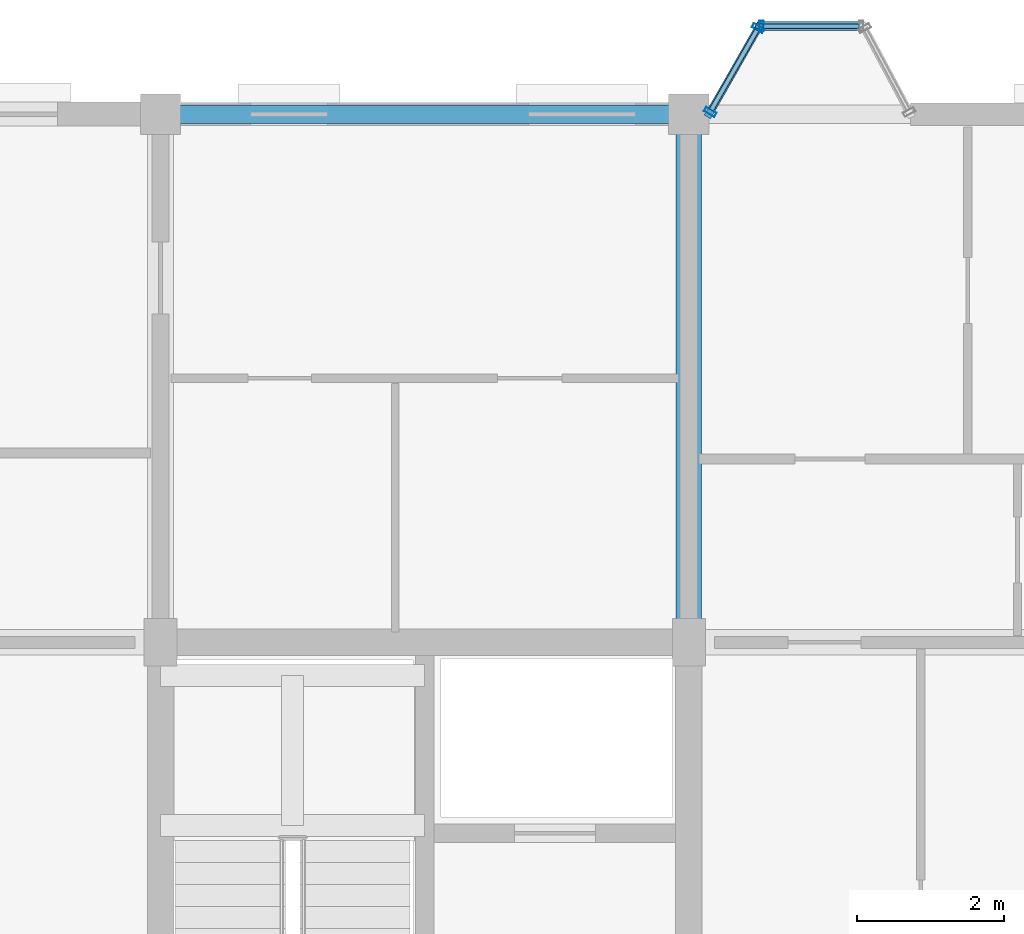
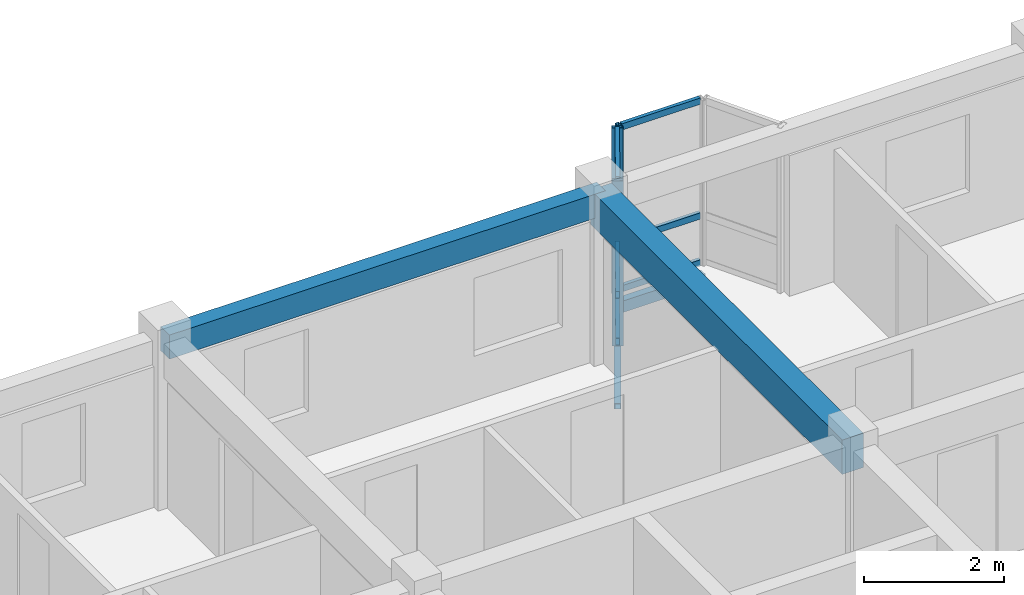
# One storey, part 38 of 75: 11 members, 2 beams, 2 elements without a shape of their own.
"""IFC4 building model written with IfcOpenShell, lengths in metres."""

from ifc_helpers import new_model, si_unit, direction, frame, origin, origin_2d, place, context, subcontext, project, spatial, rectangle, hollow_rectangle, extrude, material, layer, layer_set, material_profile, profile_set, type_object, element, aggregate, save


model = new_model("IFC4")

# Units and contexts
model_context = context("Model", 3, precision=1e-05, world=origin(), true_north=direction((0.0, 1.0)))
body_context = subcontext(model_context, "Body", "Model", "MODEL_VIEW")
ifc_project = project(units=[si_unit("LENGTHUNIT", "METRE"), si_unit("AREAUNIT", "SQUARE_METRE"), si_unit("VOLUMEUNIT", "CUBIC_METRE"), si_unit("PLANEANGLEUNIT", "RADIAN"), si_unit("MASSUNIT", "GRAM", prefix="KILO"), si_unit("THERMODYNAMICTEMPERATUREUNIT", "KELVIN"), si_unit("POWERUNIT", "WATT")], contexts=[model_context])

# Site, building, storey
site_placement = place(None, origin())
site = spatial("IfcSite", under=ifc_project, at=site_placement, CompositionType="ELEMENT")
building_placement = place(site_placement, origin())
building = spatial("IfcBuilding", under=site, at=building_placement, Name="Tavuni Mirador Residences", CompositionType="ELEMENT")
storey_placement = place(building_placement, frame((0.0, 0.0, 20.25)))
storey = spatial("IfcBuildingStorey", under=building, at=storey_placement, Name="L06", CompositionType="ELEMENT", Elevation=20.25)

# Beams
ifc_material_1 = material(Name="Precast concrete C40/50", Category="concrete")
ifc_material_profile_1 = material_profile(ifc_material_1, rectangle(XDim=0.35009765625, YDim=0.60009765625, at=origin_2d()), Name="PC 350x600", Category="concrete")
ifc_profile_set_1 = profile_set([ifc_material_profile_1], Name="Precast concrete C40/50")
beam_type_1 = type_object("IfcBeamType", Name="BT-B600", PredefinedType="BEAM", material=ifc_profile_set_1)
beam_1_placement = place(storey_placement, frame((32.39990234375, 165.60009765625, 2.5849609375), z_axis=(0.0, 1.0, 0.0), x_axis=(-1.0, 0.0, 0.0)))
element("IfcBeam", 1, at=beam_1_placement, inside=storey, type_object=beam_type_1, Name="BMY-BLK-C-L06-03-03", PredefinedType="BEAM", context=body_context, shape_type="SweptSolid", body=[
    extrude(rectangle(XDim=0.35009765625, YDim=0.60009765625, at=origin_2d()), origin(), (0.0, 0.0, 1.0), 7.199951171875),
])
ifc_material_profile_2 = material_profile(ifc_material_1, rectangle(XDim=0.25, YDim=0.419921875, at=origin_2d()), Name="PC 250x420", Category="concrete")
ifc_profile_set_2 = profile_set([ifc_material_profile_2], Name="Precast concrete C40/50")
beam_type_2 = type_object("IfcBeamType", Name="BT-SP420", PredefinedType="SPANDREL", material=ifc_profile_set_2)
beam_2_placement = place(storey_placement, frame((25.199951171875, 172.800048828125, 2.675048828125), z_axis=(1.0, 0.0, 0.0), x_axis=(0.0, 1.0, 0.0)))
element("IfcBeam", 2, at=beam_2_placement, inside=storey, type_object=beam_type_2, Name="BMX-BLK-C-L06-02-04", PredefinedType="SPANDREL", context=body_context, shape_type="SweptSolid", body=[
    extrude(rectangle(XDim=0.25, YDim=0.419921875, at=origin_2d()), origin(), (0.0, 0.0, 1.0), 7.199951171875),
])

# Curtain wall, member
ifc_material_2 = material(Name="Anodised aluminium", Category="aluminium")
ifc_layer_1 = layer(ifc_material_2, 0.175048828125, Name="Anodised aluminium", Category="aluminium")
ifc_layer_set_1 = layer_set([ifc_layer_1], Name="Anodised aluminium")
curtain_wall_type_1 = type_object("IfcCurtainWallType", Name="CWT-MIR-C", PredefinedType="NOTDEFINED", material=ifc_layer_set_1)
curtain_wall_1_placement = place(storey_placement, origin())
curtain_wall_1 = element("IfcCurtainWall", 3, at=curtain_wall_1_placement, inside=storey, type_object=curtain_wall_type_1, Name="CW-MIR-C-N2-L06-MF", PredefinedType="NOTDEFINED")
ifc_material_profile_3 = material_profile(ifc_material_2, hollow_rectangle(XDim=0.06005859375, YDim=0.139892578125, WallThickness=0.00390625, at=origin_2d()), Name="ALU 60x140x4.0", Category="aluminium")
ifc_profile_set_3 = profile_set([ifc_material_profile_3], Name="Anodised aluminium")
member_type_1 = type_object("IfcMemberType", Name="CWM-140", PredefinedType="MULLION", material=ifc_profile_set_3)
member_1_placement = place(storey_placement, frame((33.389892578125, 174.0, 0.0), z_axis=(0.0, 0.0, 1.0), x_axis=(-1.0, 0.0, 0.0)))
member_1 = element("IfcMember", 4, at=member_1_placement, type_object=member_type_1, Name="CW-03 mullion 2", PredefinedType="MULLION", context=body_context, shape_type="SweptSolid", body=[
    extrude(hollow_rectangle(XDim=0.06005859375, YDim=0.139892578125, WallThickness=0.00390625, at=origin_2d()), origin(), (0.0, 0.0, 1.0), 2.885009765625),
])

# Curtain wall, members
ifc_layer_2 = layer(ifc_material_2, 0.159912109375, Name="Anodised aluminium", Category="aluminium")
ifc_layer_set_2 = layer_set([ifc_layer_2], Name="Anodised aluminium")
curtain_wall_type_2 = type_object("IfcCurtainWallType", Name="CWT-MIR-D", PredefinedType="NOTDEFINED", material=ifc_layer_set_2)
curtain_wall_2_placement = place(storey_placement, origin())
curtain_wall_2 = element("IfcCurtainWall", 5, at=curtain_wall_2_placement, inside=storey, type_object=curtain_wall_type_2, Name="CW-MIR-C-N2-L06-M2", PredefinedType="NOTDEFINED")
ifc_material_profile_4 = material_profile(ifc_material_2, hollow_rectangle(XDim=0.06494140625, YDim=0.1650390625, WallThickness=0.00439453125, at=origin_2d()), Name="ALU 65x165x4.5", Category="aluminium")
ifc_profile_set_4 = profile_set([ifc_material_profile_4], Name="Anodised aluminium")
member_type_2 = type_object("IfcMemberType", Name="CWM-165", PredefinedType="MULLION", material=ifc_profile_set_4)
member_2_placement = place(storey_placement, frame((33.343994140625, 173.9716796875, 0.0), z_axis=(0.0, 0.0, 1.0), x_axis=(-0.495749192217, -0.868465738194, 0.0)))
member_2 = element("IfcMember", 6, at=member_2_placement, type_object=member_type_2, Name="CW-04 mullion 1", PredefinedType="MULLION", context=body_context, shape_type="SweptSolid", body=[
    extrude(hollow_rectangle(XDim=0.06494140625, YDim=0.1650390625, WallThickness=0.00439453125, at=origin_2d()), origin(), (0.0, 0.0, 1.0), 2.885009765625),
])
member_3_placement = place(storey_placement, frame((32.691162109375, 172.828125, 0.0), z_axis=(0.0, 0.0, 1.0), x_axis=(-0.495749192217, -0.868465738194, 0.0)))
member_3 = element("IfcMember", 7, at=member_3_placement, type_object=member_type_2, Name="CW-04 mullion 2", PredefinedType="MULLION", context=body_context, shape_type="SweptSolid", body=[
    extrude(hollow_rectangle(XDim=0.06494140625, YDim=0.1650390625, WallThickness=0.00439453125, at=origin_2d()), origin(), (0.0, 0.0, 1.0), 2.885009765625),
])

# Member
ifc_material_profile_5 = material_profile(ifc_material_2, hollow_rectangle(XDim=0.06005859375, YDim=0.110107421875, WallThickness=0.00390625, at=origin_2d()), Name="ALU 60x110x4.0", Category="aluminium")
ifc_profile_set_5 = profile_set([ifc_material_profile_5], Name="Anodised aluminium")
member_type_3 = type_object("IfcMemberType", Name="CWT-110", PredefinedType="USERDEFINED", material=ifc_profile_set_5)
member_4_placement = place(storey_placement, frame((34.719970703125, 174.0, 0.030029296875), z_axis=(-1.0, 0.0, 0.0), x_axis=(0.0, -1.0, 0.0)))
member_4 = element("IfcMember", 8, at=member_4_placement, type_object=member_type_3, Name="CW-03 transom 1.1", ObjectType="TRANSOM", PredefinedType="USERDEFINED", context=body_context, shape_type="SweptSolid", body=[
    extrude(hollow_rectangle(XDim=0.06005859375, YDim=0.110107421875, WallThickness=0.00390625, at=origin_2d()), origin(), (0.0, 0.0, 1.0), 1.300048828125),
])

member_5_placement = place(storey_placement, frame((34.719970703125, 174.0, 0.85009765625), z_axis=(-1.0, 0.0, 0.0), x_axis=(0.0, -1.0, 0.0)))
member_5 = element("IfcMember", 9, at=member_5_placement, type_object=member_type_3, Name="CW-03 transom 1.2", ObjectType="TRANSOM", PredefinedType="USERDEFINED", context=body_context, shape_type="SweptSolid", body=[
    extrude(hollow_rectangle(XDim=0.06005859375, YDim=0.110107421875, WallThickness=0.00390625, at=origin_2d()), origin(), (0.0, 0.0, 1.0), 1.300048828125),
])

member_6_placement = place(storey_placement, frame((34.719970703125, 174.0, 2.85498046875), z_axis=(-1.0, 0.0, 0.0), x_axis=(0.0, -1.0, 0.0)))
member_6 = element("IfcMember", 10, at=member_6_placement, type_object=member_type_3, Name="CW-03 transom 1.3", ObjectType="TRANSOM", PredefinedType="USERDEFINED", context=body_context, shape_type="SweptSolid", body=[
    extrude(hollow_rectangle(XDim=0.06005859375, YDim=0.110107421875, WallThickness=0.00390625, at=origin_2d()), origin(), (0.0, 0.0, 1.0), 1.300048828125),
])

aggregate(curtain_wall_1, [member_1, member_4, member_5, member_6])

ifc_material_profile_6 = material_profile(ifc_material_2, hollow_rectangle(XDim=0.06494140625, YDim=0.125, WallThickness=0.00439453125, at=origin_2d()), Name="ALU 65x125x4.5", Category="aluminium")
ifc_profile_set_6 = profile_set([ifc_material_profile_6], Name="Anodised aluminium")
member_type_4 = type_object("IfcMemberType", Name="CWT-125", PredefinedType="USERDEFINED", material=ifc_profile_set_6)
member_7_placement = place(storey_placement, frame((33.327880859375, 173.943603515625, 0.032470703125), z_axis=(-0.495760837306, -0.868459090685, 0.0), x_axis=(0.868459090685, -0.495760837306, 0.0)))
member_7 = element("IfcMember", 11, at=member_7_placement, type_object=member_type_4, Name="CW-04 transom 1.1", ObjectType="TRANSOM", PredefinedType="USERDEFINED", context=body_context, shape_type="SweptSolid", body=[
    extrude(hollow_rectangle(XDim=0.06494140625, YDim=0.125, WallThickness=0.00439453125, at=origin_2d()), origin(), (0.0, 0.0, 1.0), 1.251708984375),
])

member_8_placement = place(storey_placement, frame((33.327880859375, 173.943603515625, 0.85009765625), z_axis=(-0.495760837306, -0.868459090685, 0.0), x_axis=(0.868459090685, -0.495760837306, 0.0)))
member_8 = element("IfcMember", 12, at=member_8_placement, type_object=member_type_4, Name="CW-04 transom 1.2", ObjectType="TRANSOM", PredefinedType="USERDEFINED", context=body_context, shape_type="SweptSolid", body=[
    extrude(hollow_rectangle(XDim=0.06494140625, YDim=0.125, WallThickness=0.00439453125, at=origin_2d()), origin(), (0.0, 0.0, 1.0), 1.251708984375),
])

member_9_placement = place(storey_placement, frame((33.327880859375, 173.943603515625, 2.8525390625), z_axis=(-0.495760837306, -0.868459090685, 0.0), x_axis=(0.868459090685, -0.495760837306, 0.0)))
member_9 = element("IfcMember", 13, at=member_9_placement, type_object=member_type_4, Name="CW-04 transom 1.3", ObjectType="TRANSOM", PredefinedType="USERDEFINED", context=body_context, shape_type="SweptSolid", body=[
    extrude(hollow_rectangle(XDim=0.06494140625, YDim=0.125, WallThickness=0.00439453125, at=origin_2d()), origin(), (0.0, 0.0, 1.0), 1.251708984375),
])

aggregate(curtain_wall_2, [member_2, member_3, member_7, member_8, member_9])

# Members
ifc_material_3 = material(Name="Structural steel S355", Category="steel")
ifc_material_profile_7 = material_profile(ifc_material_3, hollow_rectangle(XDim=0.10009765625, YDim=0.179931640625, WallThickness=0.008056640625, at=origin_2d()), Name="RHS 180x100x8.0", Category="steel")
ifc_profile_set_7 = profile_set([ifc_material_profile_7], Name="Structural steel S355")
member_type_5 = type_object("IfcMemberType", Name="MT-BR-RHS180", PredefinedType="BRACE", material=ifc_profile_set_7)
member_10_placement = place(storey_placement, frame((32.675048828125, 172.800048828125, -1.050048828125), z_axis=(0.431062666154, 0.755050963701, 0.494047588863), x_axis=(-0.868438794398, 0.495796390047, 0.0)))
element("IfcMember", 14, at=member_10_placement, inside=storey, type_object=member_type_5, Name="MBRK-MIR-C-N2-L06-1", PredefinedType="BRACE", context=body_context, shape_type="SweptSolid", body=[
    extrude(hollow_rectangle(XDim=0.10009765625, YDim=0.179931640625, WallThickness=0.008056640625, at=origin_2d()), origin(), (0.0, 0.0, 1.0), 1.589111328125),
])
ifc_material_profile_8 = material_profile(ifc_material_3, hollow_rectangle(XDim=0.1201171875, YDim=0.199951171875, WallThickness=0.010009765625, at=origin_2d()), Name="RHS 200x120x10.0", Category="steel")
ifc_profile_set_8 = profile_set([ifc_material_profile_8], Name="Structural steel S355")
member_type_6 = type_object("IfcMemberType", Name="MT-ST-RHS200", PredefinedType="STRUT", material=ifc_profile_set_8)
member_11_placement = place(storey_placement, frame((33.360107421875, 174.0, -0.264892578125), z_axis=(1.0, 0.0, 0.0), x_axis=(0.0, 1.0, 0.0)))
element("IfcMember", 15, at=member_11_placement, inside=storey, type_object=member_type_6, Name="MRIM-MIR-C-N2-L06", PredefinedType="STRUT", context=body_context, shape_type="SweptSolid", body=[
    extrude(hollow_rectangle(XDim=0.1201171875, YDim=0.199951171875, WallThickness=0.010009765625, at=origin_2d()), origin(), (0.0, 0.0, 1.0), 1.419921875),
])

save(model, "model.ifc")
